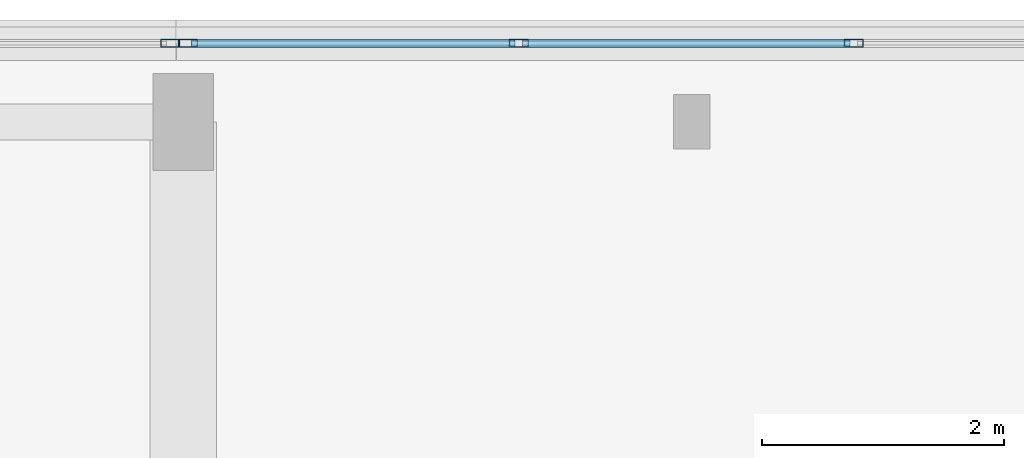
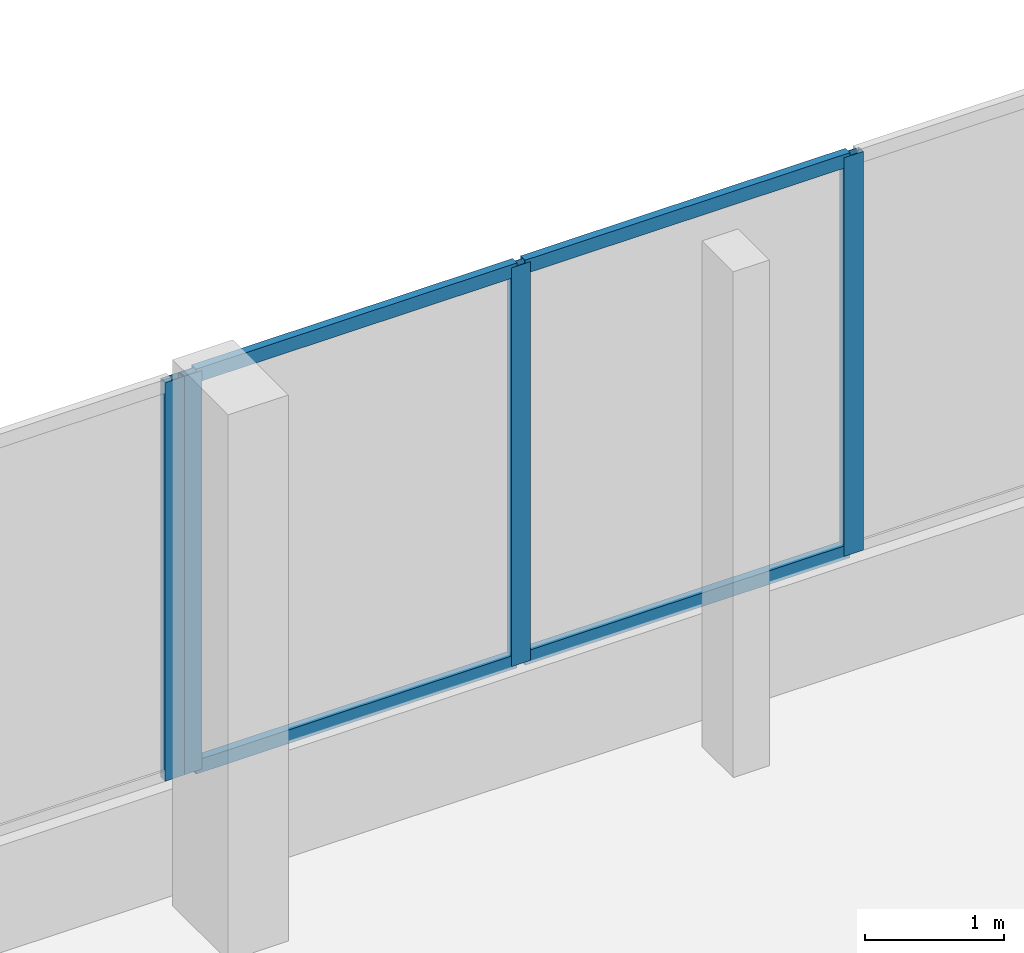
# One storey, part 81 of 168: 8 members, 2 elements without a shape of their own.
"""IFC4 building model written with IfcOpenShell, lengths in metres."""

import ifcopenshell
import ifcopenshell.guid

model = None  # the IFC model being written
_history = None  # IfcOwnerHistory: only IFC2X3 demands one
_inside = {}  # id of a spatial element -> (the spatial element, [elements in it])
_under = {}  # id of a project, library or spatial element -> (it, [spatial elements below it])
_declared = {}  # id of a project -> (the project, [libraries it declares])
_typed = {}  # id of a type object -> (the type object, [elements of that type])
_made_of = {}  # id of a material, layer set ... -> (it, [elements and type objects made of it])


def new_model(schema):
    """Start an empty IFC model of exactly this schema.

    Asked for "IFC4X3", IfcOpenShell would pick the latest addendum, in which some entities
    have other attributes; the version numbers below select the first issue.
    IFC2X3 requires an IfcOwnerHistory on every rooted entity: one is made here for all.
    """
    global model, _history
    if schema == "IFC4X3":
        model = ifcopenshell.file(schema_version=(4, 3, 0, 0))
    else:
        model = ifcopenshell.file(schema=schema)
    _inside.clear()
    _under.clear()
    _declared.clear()
    _typed.clear()
    _made_of.clear()
    _history = None
    if model.schema == "IFC2X3":
        org = make("IfcOrganization", Name="unknown")
        user = make(
            "IfcPersonAndOrganization",
            ThePerson=make("IfcPerson", FamilyName="unknown"),
            TheOrganization=org,
        )
        app = make(
            "IfcApplication",
            ApplicationDeveloper=org,
            Version="unknown",
            ApplicationFullName="unknown",
            ApplicationIdentifier="unknown",
        )
        _history = make(
            "IfcOwnerHistory",
            OwningUser=user,
            OwningApplication=app,
            ChangeAction="ADDED",
            CreationDate=0,
        )
    return model


def make(cls, **values):
    """One entity of the class cls with the attributes given. An attribute that is None is left unset."""
    return model.create_entity(
        cls, **{name: value for name, value in values.items() if value is not None}
    )


def rooted(cls, **values):
    """An entity with a GlobalId (a new one), such as an element, a storey or a relation."""
    return make(cls, GlobalId=ifcopenshell.guid.new(), OwnerHistory=_history, **values)


def si_unit(unit_type, name, prefix=None):
    """IfcSIUnit, for example si_unit("LENGTHUNIT", "METRE", prefix="MILLI")."""
    return make("IfcSIUnit", UnitType=unit_type, Prefix=prefix, Name=name)


def assignment(units):
    """IfcUnitAssignment: the units of a project."""
    return None if units is None else make("IfcUnitAssignment", Units=units)


def point(xyz):
    """IfcCartesianPoint."""
    return None if xyz is None else make("IfcCartesianPoint", Coordinates=xyz)


def direction(xyz):
    """IfcDirection."""
    return None if xyz is None else make("IfcDirection", DirectionRatios=xyz)


def frame(location, z_axis=None, x_axis=None):
    """IfcAxis2Placement3D, a coordinate frame: its origin and axes. An axis left out is left unset."""
    return make(
        "IfcAxis2Placement3D",
        Location=point(location),
        Axis=direction(z_axis),
        RefDirection=direction(x_axis),
    )


def frame_2d(location, x_axis=None):
    """IfcAxis2Placement2D, a coordinate frame in the plane: its origin and x axis."""
    return make(
        "IfcAxis2Placement2D", Location=point(location), RefDirection=direction(x_axis)
    )


def origin():
    """The frame at (0, 0, 0) with its axes left unset."""
    return frame((0.0, 0.0, 0.0))


def origin_2d():
    """The frame at (0, 0) in the plane with its x axis left unset."""
    return frame_2d((0.0, 0.0))


def place(relative_to, where):
    """IfcLocalPlacement: puts the frame where relative to a parent placement (None: the world)."""
    return make(
        "IfcLocalPlacement", PlacementRelTo=relative_to, RelativePlacement=where
    )


def context(
    kind, dimensions, precision=None, world=None, true_north=None, identifier=None
):
    """IfcGeometricRepresentationContext, for example the 3D "Model" context."""
    return make(
        "IfcGeometricRepresentationContext",
        ContextIdentifier=identifier,
        ContextType=kind,
        CoordinateSpaceDimension=dimensions,
        Precision=precision,
        WorldCoordinateSystem=world,
        TrueNorth=true_north,
    )


def subcontext(parent, identifier, kind, view, scale=None):
    """IfcGeometricRepresentationSubContext, for example "Body" below "Model"."""
    return make(
        "IfcGeometricRepresentationSubContext",
        ContextIdentifier=identifier,
        ContextType=kind,
        ParentContext=parent,
        TargetScale=scale,
        TargetView=view,
    )


def project(units=None, contexts=None):
    """IfcProject with its units and contexts."""
    return rooted(
        "IfcProject",
        Name="project",
        RepresentationContexts=contexts,
        UnitsInContext=assignment(units),
    )


def spatial(cls, under=None, at=None, **own):
    """A site, building, storey or space (cls), placed at a placement, below another one or the project."""
    s = rooted(cls, ObjectPlacement=at, **own)
    if under is not None:
        _under.setdefault(under.id(), (under, []))[1].append(s)
    return s


def profile(cls, at=None, kind="AREA", **sizes):
    """A parametric profile (cls). Its sizes go by their IFC names, for example OverallWidth=200.0."""
    return make(cls, ProfileType=kind, Position=at, **sizes)


def hollow_rectangle(**sizes):
    """IfcRectangleHollowProfileDef."""
    return profile("IfcRectangleHollowProfileDef", **sizes)


def extrude(swept, where, along, depth):
    """IfcExtrudedAreaSolid: the profile swept, set in the frame where, extruded along a direction by depth."""
    return make(
        "IfcExtrudedAreaSolid",
        SweptArea=swept,
        Position=where,
        ExtrudedDirection=direction(along),
        Depth=depth,
    )


def shape(context_of_items, identifier, shape_type, items):
    """IfcShapeRepresentation: the items that make up one representation, for example the "Body"."""
    return make(
        "IfcShapeRepresentation",
        ContextOfItems=context_of_items,
        RepresentationIdentifier=identifier,
        RepresentationType=shape_type,
        Items=items,
    )


def material(Name=None, Category=None):
    """IfcMaterial."""
    return make("IfcMaterial", Name=Name, Category=Category)


def material_profile(
    of_material, cross_section, Name=None, Category=None, Priority=None
):
    """IfcMaterialProfile: a cross section and its material."""
    return make(
        "IfcMaterialProfile",
        Name=Name,
        Material=of_material,
        Profile=cross_section,
        Priority=Priority,
        Category=Category,
    )


def profile_set(profiles, Name=None, composite=None):
    """IfcMaterialProfileSet."""
    return make(
        "IfcMaterialProfileSet",
        Name=Name,
        MaterialProfiles=profiles,
        CompositeProfile=composite,
    )


def made_of(thing, what):
    """Note that an element or type object is made of a material, layer set ...; save() writes the relation."""
    if what is not None:
        _made_of.setdefault(what.id(), (what, []))[1].append(thing)
    return thing


def type_object(cls, material=None, **own):
    """A type object (cls), such as IfcWallType, which elements share."""
    return made_of(rooted(cls, **own), material)


def element(
    cls,
    number,
    at=None,
    inside=None,
    cuts=None,
    type_object=None,
    material=None,
    context=None,
    identifier="Body",
    shape_type=None,
    held_by="IfcProductDefinitionShape",
    body=None,
    shapes=None,
    **own,
):
    """One element of the class cls, such as IfcWall. Its Tag is "e" and its number.

    at: its placement. inside: the storey or other place that contains it. cuts: it is an
    opening in that element (IfcRelVoidsElement). A single representation is given by context,
    identifier, shape_type and body (its items); several are given by shapes. held_by: the class
    of the entity that holds the representations. save() writes the other relations.
    """
    e = rooted(cls, Tag="e%d" % number, ObjectPlacement=at, **own)
    if body is not None:
        shapes = [shape(context, identifier, shape_type, body)]
    if shapes is not None:
        e.Representation = make(held_by, Representations=shapes)
    if inside is not None:
        _inside.setdefault(inside.id(), (inside, []))[1].append(e)
    if cuts is not None:
        rooted(
            "IfcRelVoidsElement", RelatingBuildingElement=cuts, RelatedOpeningElement=e
        )
    if type_object is not None:
        _typed.setdefault(type_object.id(), (type_object, []))[1].append(e)
    return made_of(e, material)


def aggregate(whole, parts):
    """IfcRelAggregates: a whole, such as a stair, and the parts it consists of."""
    return rooted("IfcRelAggregates", RelatingObject=whole, RelatedObjects=parts)


def save(model, path):
    """Write the relations noted so far, then the file.

    IfcRelAggregates (storeys below a building ...), IfcRelContainedInSpatialStructure (elements
    in a storey), IfcRelDefinesByType, IfcRelAssociatesMaterial and IfcRelDeclares: one each for
    every whole, place, type object, material and project.
    """
    for whole, parts in _under.values():
        aggregate(whole, parts)
    for where, things in _inside.values():
        rooted(
            "IfcRelContainedInSpatialStructure",
            RelatedElements=things,
            RelatingStructure=where,
        )
    for kind, things in _typed.values():
        rooted("IfcRelDefinesByType", RelatedObjects=things, RelatingType=kind)
    for what, things in _made_of.values():
        rooted("IfcRelAssociatesMaterial", RelatedObjects=things, RelatingMaterial=what)
    for by, libraries in _declared.values():
        rooted("IfcRelDeclares", RelatingContext=by, RelatedDefinitions=libraries)
    model.write(path)


model = new_model("IFC4")

# Units and contexts
model_context = context("Model", 3, precision=1e-05, world=origin(), true_north=direction((0.0, 1.0)))
body_context = subcontext(model_context, "Body", "Model", "MODEL_VIEW")
ifc_project = project(units=[si_unit("LENGTHUNIT", "METRE"), si_unit("AREAUNIT", "SQUARE_METRE"), si_unit("VOLUMEUNIT", "CUBIC_METRE"), si_unit("PLANEANGLEUNIT", "RADIAN"), si_unit("MASSUNIT", "GRAM", prefix="KILO")], contexts=[model_context])

# Site, building, storey
site_placement = place(None, origin())
site = spatial("IfcSite", under=ifc_project, at=site_placement, CompositionType="ELEMENT")
building_placement = place(site_placement, origin())
building = spatial("IfcBuilding", under=site, at=building_placement, Name="Selatvlak General Hospital", CompositionType="ELEMENT")
storey_placement = place(building_placement, frame((0.0, 0.0, 5.39990234375)))
storey = spatial("IfcBuildingStorey", under=building, at=storey_placement, Name="L01", CompositionType="ELEMENT", Elevation=5.39990234375)

# Curtain wall, member
ifc_material_1 = material(Name="Solar-control Low-E double glazing", Category="glass")
curtain_wall_type_1 = type_object("IfcCurtainWallType", Name="CW-CW-01", PredefinedType="USERDEFINED", material=ifc_material_1)
curtain_wall_1_placement = place(storey_placement, origin())
curtain_wall_1 = element("IfcCurtainWall", 1, at=curtain_wall_1_placement, inside=storey, type_object=curtain_wall_type_1, Name="Glazed facade curtain wall CW-L01-0114", ObjectType="UNITISED CURTAIN WALL", PredefinedType="USERDEFINED")
ifc_material_2 = material(Name="Dark anodised aluminium mullion", Category="aluminium")
ifc_material_profile_1 = material_profile(ifc_material_2, hollow_rectangle(XDim=0.06494140625, YDim=0.159912109375, WallThickness=0.00390625, at=origin_2d()), Name="AL-MUL 65x160x4")
ifc_profile_set_1 = profile_set([ifc_material_profile_1], Name="Dark anodised aluminium mullion")
member_type_1 = type_object("IfcMemberType", Name="CWM-01", PredefinedType="MULLION", material=ifc_profile_set_1)
member_1_placement = place(storey_placement, frame((39.492431640625, 119.9990234375, 0.940185546875), z_axis=(0.0, 0.0, 1.0), x_axis=(0.0, 1.0, 0.0)))
member_1 = element("IfcMember", 2, at=member_1_placement, type_object=member_type_1, Name="CW-01 mullion 4", PredefinedType="MULLION", context=body_context, shape_type="SweptSolid", body=[
    extrude(hollow_rectangle(XDim=0.06494140625, YDim=0.159912109375, WallThickness=0.00390625, at=origin_2d()), origin(), (0.0, 0.0, 1.0), 3.5048828125),
])
aggregate(curtain_wall_1, [member_1])

# Curtain wall, members
curtain_wall_type_2 = type_object("IfcCurtainWallType", Name="CW-CW-02", PredefinedType="USERDEFINED", material=ifc_material_1)
curtain_wall_2_placement = place(storey_placement, origin())
curtain_wall_2 = element("IfcCurtainWall", 3, at=curtain_wall_2_placement, inside=storey, type_object=curtain_wall_type_2, Name="Glazed facade curtain wall CW-L01-0115", ObjectType="UNITISED CURTAIN WALL", PredefinedType="USERDEFINED")
member_2_placement = place(storey_placement, frame((39.637451171875, 119.9990234375, 0.940185546875), z_axis=(0.0, 0.0, 1.0), x_axis=(0.0, 1.0, 0.0)))
member_2 = element("IfcMember", 4, at=member_2_placement, type_object=member_type_1, Name="CW-02 mullion 1", PredefinedType="MULLION", context=body_context, shape_type="SweptSolid", body=[
    extrude(hollow_rectangle(XDim=0.06494140625, YDim=0.159912109375, WallThickness=0.00390625, at=origin_2d()), origin(), (0.0, 0.0, 1.0), 3.5048828125),
])
member_3_placement = place(storey_placement, frame((42.37158203125, 119.9990234375, 0.940185546875), z_axis=(0.0, 0.0, 1.0), x_axis=(0.0, 1.0, 0.0)))
member_3 = element("IfcMember", 5, at=member_3_placement, type_object=member_type_1, Name="CW-02 mullion 2", PredefinedType="MULLION", context=body_context, shape_type="SweptSolid", body=[
    extrude(hollow_rectangle(XDim=0.06494140625, YDim=0.159912109375, WallThickness=0.00390625, at=origin_2d()), origin(), (0.0, 0.0, 1.0), 3.5048828125),
])
member_4_placement = place(storey_placement, frame((45.138427734375, 119.9990234375, 0.940185546875), z_axis=(0.0, 0.0, 1.0), x_axis=(0.0, 1.0, 0.0)))
member_4 = element("IfcMember", 6, at=member_4_placement, type_object=member_type_1, Name="CW-02 mullion 3", PredefinedType="MULLION", context=body_context, shape_type="SweptSolid", body=[
    extrude(hollow_rectangle(XDim=0.06494140625, YDim=0.159912109375, WallThickness=0.00390625, at=origin_2d()), origin(), (0.0, 0.0, 1.0), 3.5048828125),
])
ifc_material_profile_2 = material_profile(ifc_material_2, hollow_rectangle(XDim=0.06494140625, YDim=0.1201171875, WallThickness=0.00390625, at=origin_2d()), Name="AL-TRN 65x120x4")
ifc_profile_set_2 = profile_set([ifc_material_profile_2], Name="Dark anodised aluminium mullion")
member_type_2 = type_object("IfcMemberType", Name="CWT-01", PredefinedType="USERDEFINED", material=ifc_profile_set_2)
member_5_placement = place(storey_placement, frame((39.669921875, 119.9990234375, 0.97265625), z_axis=(1.0, 0.0, 0.0), x_axis=(0.0, 1.0, 0.0)))
member_5 = element("IfcMember", 7, at=member_5_placement, type_object=member_type_2, Name="CW-02 transom 1.1", ObjectType="TRANSOM", PredefinedType="USERDEFINED", context=body_context, shape_type="SweptSolid", body=[
    extrude(hollow_rectangle(XDim=0.06494140625, YDim=0.1201171875, WallThickness=0.00390625, at=origin_2d()), origin(), (0.0, 0.0, 1.0), 2.669189453125),
])
member_6_placement = place(storey_placement, frame((39.669921875, 119.9990234375, 4.41259765625), z_axis=(1.0, 0.0, 0.0), x_axis=(0.0, 1.0, 0.0)))
member_6 = element("IfcMember", 8, at=member_6_placement, type_object=member_type_2, Name="CW-02 transom 1.2", ObjectType="TRANSOM", PredefinedType="USERDEFINED", context=body_context, shape_type="SweptSolid", body=[
    extrude(hollow_rectangle(XDim=0.06494140625, YDim=0.1201171875, WallThickness=0.00390625, at=origin_2d()), origin(), (0.0, 0.0, 1.0), 2.669189453125),
])
member_7_placement = place(storey_placement, frame((42.404052734375, 119.9990234375, 0.97265625), z_axis=(1.0, 0.0, 0.0), x_axis=(0.0, 1.0, 0.0)))
member_7 = element("IfcMember", 9, at=member_7_placement, type_object=member_type_2, Name="CW-02 transom 2.1", ObjectType="TRANSOM", PredefinedType="USERDEFINED", context=body_context, shape_type="SweptSolid", body=[
    extrude(hollow_rectangle(XDim=0.06494140625, YDim=0.1201171875, WallThickness=0.00390625, at=origin_2d()), origin(), (0.0, 0.0, 1.0), 2.70166015625),
])
member_8_placement = place(storey_placement, frame((42.404052734375, 119.9990234375, 4.41259765625), z_axis=(1.0, 0.0, 0.0), x_axis=(0.0, 1.0, 0.0)))
member_8 = element("IfcMember", 10, at=member_8_placement, type_object=member_type_2, Name="CW-02 transom 2.2", ObjectType="TRANSOM", PredefinedType="USERDEFINED", context=body_context, shape_type="SweptSolid", body=[
    extrude(hollow_rectangle(XDim=0.06494140625, YDim=0.1201171875, WallThickness=0.00390625, at=origin_2d()), origin(), (0.0, 0.0, 1.0), 2.70166015625),
])
aggregate(curtain_wall_2, [member_2, member_3, member_4, member_5, member_6, member_7, member_8])

save(model, "model.ifc")
